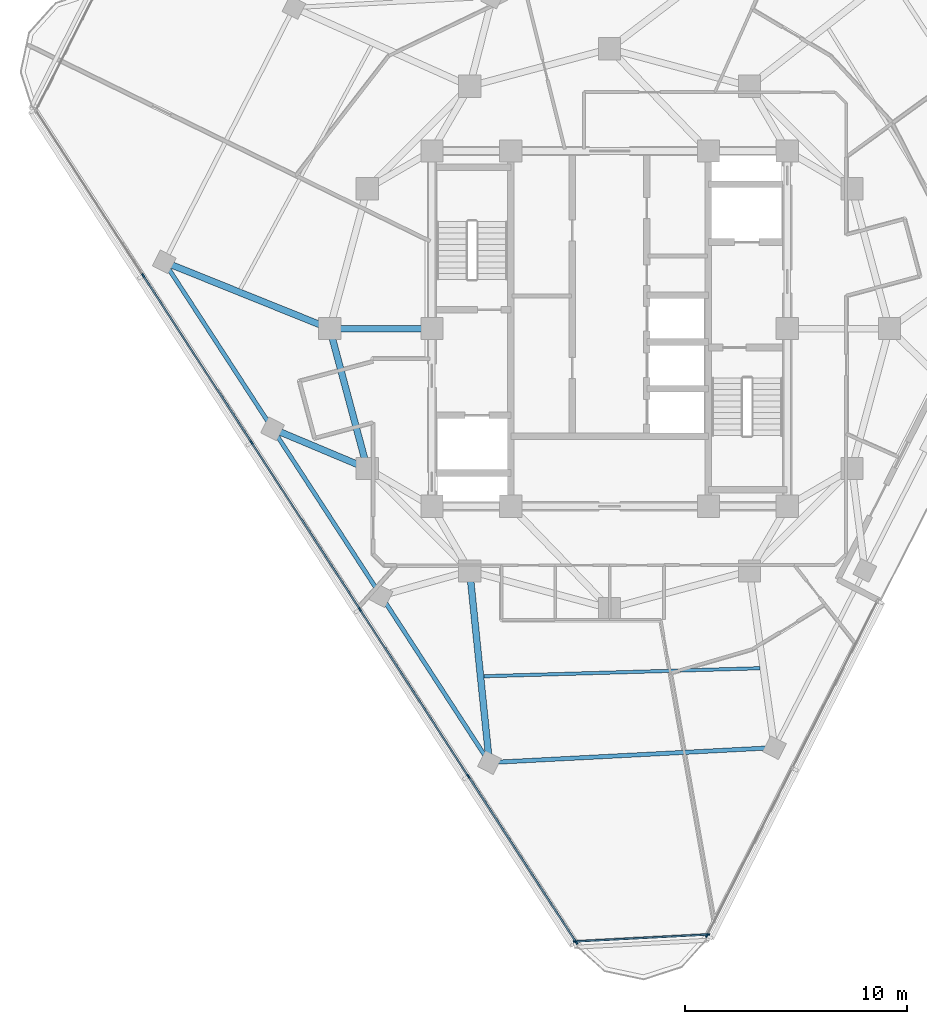
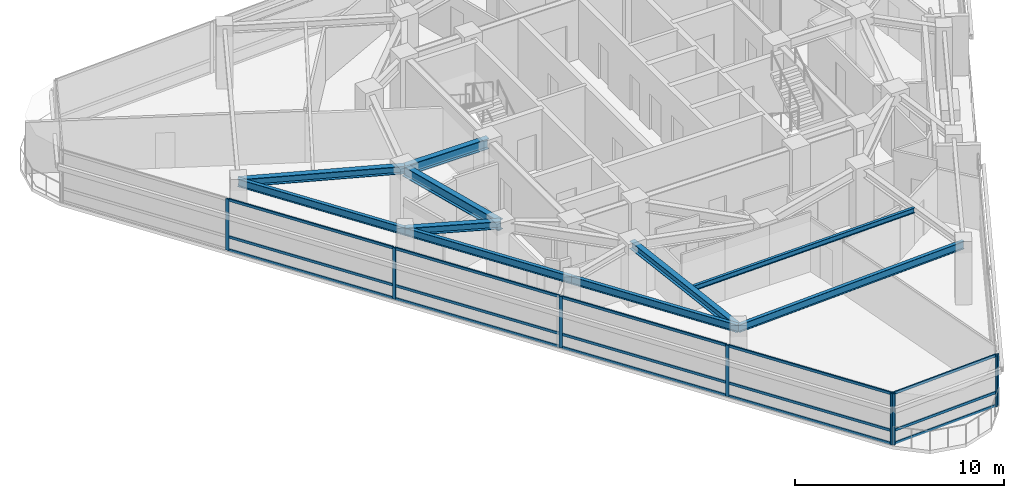
# One storey, part 2 of 15: 23 members, 10 beams, 3 elements without a shape of their own.
"""IFC4 building model written with IfcOpenShell, lengths in metres."""

from ifc_helpers import new_model, si_unit, direction, frame, origin, origin_2d, place, context, subcontext, project, spatial, rectangle, i_section, extrude, material, layer, layer_set, material_profile, profile_set, type_object, element, aggregate, save


model = new_model("IFC4")

# Units and contexts
model_context = context("Model", 3, precision=1e-05, world=origin(), true_north=direction((0.0, 1.0)))
body_context = subcontext(model_context, "Body", "Model", "MODEL_VIEW")
ifc_project = project(units=[si_unit("LENGTHUNIT", "METRE"), si_unit("AREAUNIT", "SQUARE_METRE"), si_unit("VOLUMEUNIT", "CUBIC_METRE"), si_unit("PLANEANGLEUNIT", "RADIAN"), si_unit("MASSUNIT", "GRAM", prefix="KILO")], contexts=[model_context])

# Site, building, storey
site_placement = place(None, origin())
site = spatial("IfcSite", under=ifc_project, at=site_placement, CompositionType="ELEMENT")
building_placement = place(site_placement, origin())
building = spatial("IfcBuilding", under=site, at=building_placement, Name="Terralouvre Media Tower", CompositionType="ELEMENT")
storey_placement = place(building_placement, frame((0.0, 0.0, 252.199951171875)))
storey = spatial("IfcBuildingStorey", under=building, at=storey_placement, Name="L65", CompositionType="ELEMENT", Elevation=252.199951171875)

# Beam
ifc_material_1 = material(Name="Structural steel S355J2", Category="steel")
ifc_material_profile_1 = material_profile(ifc_material_1, i_section(OverallWidth=0.14990234375, OverallDepth=0.300048828125, WebThickness=0.007080078125, FlangeThickness=0.0107421875, at=origin_2d()), Name="IPE 300")
ifc_profile_set_1 = profile_set([ifc_material_profile_1], Name="Structural steel S355J2")
beam_type_1 = type_object("IfcBeamType", Name="Composite Floor Joist J-IPE300 (IPE 300)", PredefinedType="JOIST", material=ifc_profile_set_1)
beam_1_placement = place(storey_placement, frame((-5.662353515625, -15.653564453125, 3.35009765625), z_axis=(0.999577320821, 0.029071974473, 0.0), x_axis=(-0.029071974473, 0.999577320821, 0.0)))
element("IfcBeam", 1, at=beam_1_placement, inside=storey, type_object=beam_type_1, Name="L65 Framing Beam JT-L65-01", PredefinedType="JOIST", context=body_context, shape_type="SweptSolid", body=[
    extrude(i_section(OverallWidth=0.14990234375, OverallDepth=0.300048828125, WebThickness=0.007080078125, FlangeThickness=0.0107421875, at=origin_2d()), origin(), (0.0, 0.0, 1.0), 12.437255859375),
])

# Curtain wall, members
ifc_material_2 = material(Name="Low-iron laminated double glazing with solar-control coating", Category="glass")
ifc_layer_1 = layer(ifc_material_2, 0.1650390625, Name="Upper Executive Tower Curtain Wall CW-05")
ifc_layer_set_1 = layer_set([ifc_layer_1], Name="Low-iron laminated double glazing with solar-control coating")
curtain_wall_type_1 = type_object("IfcCurtainWallType", Name="Upper Executive Tower Curtain Wall CW-05", PredefinedType="NOTDEFINED", material=ifc_layer_set_1)
curtain_wall_1_placement = place(storey_placement, origin())
curtain_wall_1 = element("IfcCurtainWall", 2, at=curtain_wall_1_placement, inside=storey, type_object=curtain_wall_type_1, Name="L65 Facade Curtain Wall F2", PredefinedType="NOTDEFINED")
ifc_material_3 = material(Name="Anodised extruded aluminium 6063-T6", Category="aluminium")
ifc_material_profile_2 = material_profile(ifc_material_3, rectangle(XDim=0.074951171875, YDim=0.14990234375, at=origin_2d()), Name="ALU 75x150")
ifc_profile_set_2 = profile_set([ifc_material_profile_2], Name="Anodised extruded aluminium 6063-T6")
member_type_1 = type_object("IfcMemberType", Name="Curtain-Wall Horizontal Transom TR-150", PredefinedType="USERDEFINED", material=ifc_profile_set_2)
member_1_placement = place(storey_placement, frame((-20.98046875, 2.355712890625, 0.03759765625), z_axis=(0.544647362145, -0.838665160185, 0.0), x_axis=(0.838665160185, 0.544647362145, 0.0)))
member_1 = element("IfcMember", 3, at=member_1_placement, type_object=member_type_1, Name="CW-05 transom 2.1", ObjectType="TRANSOM", PredefinedType="USERDEFINED", context=body_context, shape_type="SweptSolid", body=[
    extrude(rectangle(XDim=0.074951171875, YDim=0.14990234375, at=origin_2d()), origin(), (0.0, 0.0, 1.0), 8.884765625),
])
member_2_placement = place(storey_placement, frame((-20.98046875, 2.355712890625, 0.800048828125), z_axis=(0.544647362145, -0.838665160185, 0.0), x_axis=(0.838665160185, 0.544647362145, 0.0)))
member_2 = element("IfcMember", 4, at=member_2_placement, type_object=member_type_1, Name="CW-05 transom 2.2", ObjectType="TRANSOM", PredefinedType="USERDEFINED", context=body_context, shape_type="SweptSolid", body=[
    extrude(rectangle(XDim=0.074951171875, YDim=0.14990234375, at=origin_2d()), origin(), (0.0, 0.0, 1.0), 8.884765625),
])
member_3_placement = place(storey_placement, frame((-20.98046875, 2.355712890625, 2.962646484375), z_axis=(0.544647362145, -0.838665160185, 0.0), x_axis=(0.838665160185, 0.544647362145, 0.0)))
member_3 = element("IfcMember", 5, at=member_3_placement, type_object=member_type_1, Name="CW-05 transom 2.3", ObjectType="TRANSOM", PredefinedType="USERDEFINED", context=body_context, shape_type="SweptSolid", body=[
    extrude(rectangle(XDim=0.074951171875, YDim=0.14990234375, at=origin_2d()), origin(), (0.0, 0.0, 1.0), 8.884765625),
])
member_4_placement = place(storey_placement, frame((-16.1005859375, -5.15869140625, 0.03759765625), z_axis=(0.544634810925, -0.838673311087, 0.0), x_axis=(0.838673311087, 0.544634810925, 0.0)))
member_4 = element("IfcMember", 6, at=member_4_placement, type_object=member_type_1, Name="CW-05 transom 3.1", ObjectType="TRANSOM", PredefinedType="USERDEFINED", context=body_context, shape_type="SweptSolid", body=[
    extrude(rectangle(XDim=0.074951171875, YDim=0.14990234375, at=origin_2d()), origin(), (0.0, 0.0, 1.0), 8.885009765625),
])
member_5_placement = place(storey_placement, frame((-16.1005859375, -5.15869140625, 0.800048828125), z_axis=(0.544634810925, -0.838673311087, 0.0), x_axis=(0.838673311087, 0.544634810925, 0.0)))
member_5 = element("IfcMember", 7, at=member_5_placement, type_object=member_type_1, Name="CW-05 transom 3.2", ObjectType="TRANSOM", PredefinedType="USERDEFINED", context=body_context, shape_type="SweptSolid", body=[
    extrude(rectangle(XDim=0.074951171875, YDim=0.14990234375, at=origin_2d()), origin(), (0.0, 0.0, 1.0), 8.885009765625),
])
member_6_placement = place(storey_placement, frame((-16.1005859375, -5.15869140625, 2.962646484375), z_axis=(0.544634810925, -0.838673311087, 0.0), x_axis=(0.838673311087, 0.544634810925, 0.0)))
member_6 = element("IfcMember", 8, at=member_6_placement, type_object=member_type_1, Name="CW-05 transom 3.3", ObjectType="TRANSOM", PredefinedType="USERDEFINED", context=body_context, shape_type="SweptSolid", body=[
    extrude(rectangle(XDim=0.074951171875, YDim=0.14990234375, at=origin_2d()), origin(), (0.0, 0.0, 1.0), 8.885009765625),
])
member_7_placement = place(storey_placement, frame((-11.220458984375, -12.673095703125, 0.03759765625), z_axis=(0.544634810925, -0.838673311087, 0.0), x_axis=(0.838673311087, 0.544634810925, 0.0)))
member_7 = element("IfcMember", 9, at=member_7_placement, type_object=member_type_1, Name="CW-05 transom 4.1", ObjectType="TRANSOM", PredefinedType="USERDEFINED", context=body_context, shape_type="SweptSolid", body=[
    extrude(rectangle(XDim=0.074951171875, YDim=0.14990234375, at=origin_2d()), origin(), (0.0, 0.0, 1.0), 8.885009765625),
])
member_8_placement = place(storey_placement, frame((-11.220458984375, -12.673095703125, 0.800048828125), z_axis=(0.544634810925, -0.838673311087, 0.0), x_axis=(0.838673311087, 0.544634810925, 0.0)))
member_8 = element("IfcMember", 10, at=member_8_placement, type_object=member_type_1, Name="CW-05 transom 4.2", ObjectType="TRANSOM", PredefinedType="USERDEFINED", context=body_context, shape_type="SweptSolid", body=[
    extrude(rectangle(XDim=0.074951171875, YDim=0.14990234375, at=origin_2d()), origin(), (0.0, 0.0, 1.0), 8.885009765625),
])
member_9_placement = place(storey_placement, frame((-11.220458984375, -12.673095703125, 2.962646484375), z_axis=(0.544634810925, -0.838673311087, 0.0), x_axis=(0.838673311087, 0.544634810925, 0.0)))
member_9 = element("IfcMember", 11, at=member_9_placement, type_object=member_type_1, Name="CW-05 transom 4.3", ObjectType="TRANSOM", PredefinedType="USERDEFINED", context=body_context, shape_type="SweptSolid", body=[
    extrude(rectangle(XDim=0.074951171875, YDim=0.14990234375, at=origin_2d()), origin(), (0.0, 0.0, 1.0), 8.885009765625),
])
member_10_placement = place(storey_placement, frame((-6.340576171875, -20.187744140625, 0.03759765625), z_axis=(0.544630398361, -0.838676176591, 0.0), x_axis=(0.838676176591, 0.544630398361, 0.0)))
member_10 = element("IfcMember", 12, at=member_10_placement, type_object=member_type_1, Name="CW-05 transom 5.1", ObjectType="TRANSOM", PredefinedType="USERDEFINED", context=body_context, shape_type="SweptSolid", body=[
    extrude(rectangle(XDim=0.074951171875, YDim=0.14990234375, at=origin_2d()), origin(), (0.0, 0.0, 1.0), 8.847412109375),
])
member_11_placement = place(storey_placement, frame((-6.340576171875, -20.187744140625, 0.800048828125), z_axis=(0.544630398361, -0.838676176591, 0.0), x_axis=(0.838676176591, 0.544630398361, 0.0)))
member_11 = element("IfcMember", 13, at=member_11_placement, type_object=member_type_1, Name="CW-05 transom 5.2", ObjectType="TRANSOM", PredefinedType="USERDEFINED", context=body_context, shape_type="SweptSolid", body=[
    extrude(rectangle(XDim=0.074951171875, YDim=0.14990234375, at=origin_2d()), origin(), (0.0, 0.0, 1.0), 8.847412109375),
])
member_12_placement = place(storey_placement, frame((-6.340576171875, -20.187744140625, 2.962646484375), z_axis=(0.544630398361, -0.838676176591, 0.0), x_axis=(0.838676176591, 0.544630398361, 0.0)))
member_12 = element("IfcMember", 14, at=member_12_placement, type_object=member_type_1, Name="CW-05 transom 5.3", ObjectType="TRANSOM", PredefinedType="USERDEFINED", context=body_context, shape_type="SweptSolid", body=[
    extrude(rectangle(XDim=0.074951171875, YDim=0.14990234375, at=origin_2d()), origin(), (0.0, 0.0, 1.0), 8.847412109375),
])

ifc_material_4 = material(Name="Low-iron laminated double glazing with solar-control coating", Category="glass")
ifc_layer_2 = layer(ifc_material_4, 0.1650390625, Name="Rounded Wind-Corner Curved Glazing CW-04")
ifc_layer_set_2 = layer_set([ifc_layer_2], Name="Low-iron laminated double glazing with solar-control coating")
curtain_wall_type_2 = type_object("IfcCurtainWallType", Name="Rounded Wind-Corner Curved Glazing CW-04", PredefinedType="NOTDEFINED", material=ifc_layer_set_2)
curtain_wall_2_placement = place(storey_placement, origin())
curtain_wall_2 = element("IfcCurtainWall", 15, at=curtain_wall_2_placement, inside=storey, type_object=curtain_wall_type_2, Name="L65 Rounded Wind-Corner Curtain Wall C0", PredefinedType="NOTDEFINED")
member_13_placement = place(storey_placement, frame((-1.51416015625, -27.59228515625, 0.03759765625), z_axis=(0.998630348994, 0.052320417325, 0.0), x_axis=(-0.052320417325, 0.998630348994, 0.0)))
member_13 = element("IfcMember", 16, at=member_13_placement, type_object=member_type_1, Name="CW-04 transom 1.1", ObjectType="TRANSOM", PredefinedType="USERDEFINED", context=body_context, shape_type="SweptSolid", body=[
    extrude(rectangle(XDim=0.074951171875, YDim=0.14990234375, at=origin_2d()), origin(), (0.0, 0.0, 1.0), 5.912109375),
])
member_14_placement = place(storey_placement, frame((-1.51416015625, -27.59228515625, 0.800048828125), z_axis=(0.998630348994, 0.052320417325, 0.0), x_axis=(-0.052320417325, 0.998630348994, 0.0)))
member_14 = element("IfcMember", 17, at=member_14_placement, type_object=member_type_1, Name="CW-04 transom 1.2", ObjectType="TRANSOM", PredefinedType="USERDEFINED", context=body_context, shape_type="SweptSolid", body=[
    extrude(rectangle(XDim=0.074951171875, YDim=0.14990234375, at=origin_2d()), origin(), (0.0, 0.0, 1.0), 5.912109375),
])
member_15_placement = place(storey_placement, frame((-1.51416015625, -27.59228515625, 2.962646484375), z_axis=(0.998630348994, 0.052320417325, 0.0), x_axis=(-0.052320417325, 0.998630348994, 0.0)))
member_15 = element("IfcMember", 18, at=member_15_placement, type_object=member_type_1, Name="CW-04 transom 1.3", ObjectType="TRANSOM", PredefinedType="USERDEFINED", context=body_context, shape_type="SweptSolid", body=[
    extrude(rectangle(XDim=0.074951171875, YDim=0.14990234375, at=origin_2d()), origin(), (0.0, 0.0, 1.0), 5.912109375),
])

# Curtain wall, member
curtain_wall_3_placement = place(storey_placement, origin())
curtain_wall_3 = element("IfcCurtainWall", 19, at=curtain_wall_3_placement, inside=storey, type_object=curtain_wall_type_1, Name="L65 Left Flank Curtain Wall F0", PredefinedType="NOTDEFINED")
ifc_material_5 = material(Name="Anodised extruded aluminium 6063-T6", Category="aluminium")
ifc_material_profile_3 = material_profile(ifc_material_5, rectangle(XDim=0.074951171875, YDim=0.179931640625, at=origin_2d()), Name="ALU 75x180")
ifc_profile_set_3 = profile_set([ifc_material_profile_3], Name="Anodised extruded aluminium 6063-T6")
member_type_2 = type_object("IfcMemberType", Name="Curtain-Wall Vertical Mullion ML-180", PredefinedType="MULLION", material=ifc_profile_set_3)
member_16_placement = place(storey_placement, frame((4.38232421875, -27.330810546875, 0.0), z_axis=(0.0, 0.0, 1.0), x_axis=(-0.89100683653, 0.453989886735, 0.0)))
member_16 = element("IfcMember", 20, at=member_16_placement, type_object=member_type_2, Name="CW-05 mullion 1", PredefinedType="MULLION", context=body_context, shape_type="SweptSolid", body=[
    extrude(rectangle(XDim=0.074951171875, YDim=0.179931640625, at=origin_2d()), origin(), (0.0, 0.0, 1.0), 3.0),
])
aggregate(curtain_wall_3, [member_16])

# Member
member_17_placement = place(storey_placement, frame((-21.0009765625, 2.38720703125, 0.0), z_axis=(0.0, 0.0, 1.0), x_axis=(0.838670545826, 0.544639069077, 0.0)))
member_17 = element("IfcMember", 21, at=member_17_placement, type_object=member_type_2, Name="CW-05 mullion 2", PredefinedType="MULLION", context=body_context, shape_type="SweptSolid", body=[
    extrude(rectangle(XDim=0.074951171875, YDim=0.179931640625, at=origin_2d()), origin(), (0.0, 0.0, 1.0), 3.0),
])

member_18_placement = place(storey_placement, frame((-16.120849609375, -5.127197265625, 0.0), z_axis=(0.0, 0.0, 1.0), x_axis=(0.838670545826, 0.544639069077, 0.0)))
member_18 = element("IfcMember", 22, at=member_18_placement, type_object=member_type_2, Name="CW-05 mullion 3", PredefinedType="MULLION", context=body_context, shape_type="SweptSolid", body=[
    extrude(rectangle(XDim=0.074951171875, YDim=0.179931640625, at=origin_2d()), origin(), (0.0, 0.0, 1.0), 3.0),
])

member_19_placement = place(storey_placement, frame((-11.240966796875, -12.641845703125, 0.0), z_axis=(0.0, 0.0, 1.0), x_axis=(0.838670545826, 0.544639069077, 0.0)))
member_19 = element("IfcMember", 23, at=member_19_placement, type_object=member_type_2, Name="CW-05 mullion 4", PredefinedType="MULLION", context=body_context, shape_type="SweptSolid", body=[
    extrude(rectangle(XDim=0.074951171875, YDim=0.179931640625, at=origin_2d()), origin(), (0.0, 0.0, 1.0), 3.0),
])

member_20_placement = place(storey_placement, frame((-6.361083984375, -20.15625, 0.0), z_axis=(0.0, 0.0, 1.0), x_axis=(0.838670545826, 0.544639069077, 0.0)))
member_20 = element("IfcMember", 24, at=member_20_placement, type_object=member_type_2, Name="CW-05 mullion 5", PredefinedType="MULLION", context=body_context, shape_type="SweptSolid", body=[
    extrude(rectangle(XDim=0.074951171875, YDim=0.179931640625, at=origin_2d()), origin(), (0.0, 0.0, 1.0), 3.0),
])

member_21_placement = place(storey_placement, frame((-1.50146484375, -27.63916015625, 0.0), z_axis=(0.0, 0.0, 1.0), x_axis=(0.838670545826, 0.544639069077, 0.0)))
member_21 = element("IfcMember", 25, at=member_21_placement, type_object=member_type_2, Name="CW-05 mullion 6", PredefinedType="MULLION", context=body_context, shape_type="SweptSolid", body=[
    extrude(rectangle(XDim=0.074951171875, YDim=0.179931640625, at=origin_2d()), origin(), (0.0, 0.0, 1.0), 3.0),
])

aggregate(curtain_wall_1, [member_17, member_18, member_19, member_20, member_21, member_1, member_2, member_3, member_4, member_5, member_6, member_7, member_8, member_9, member_10, member_11, member_12])

member_22_placement = place(storey_placement, frame((-1.551513671875, -27.59423828125, 0.0), z_axis=(0.0, 0.0, 1.0), x_axis=(-0.05233597552, 0.998629533744, 0.0)))
member_22 = element("IfcMember", 26, at=member_22_placement, type_object=member_type_2, Name="CW-04 mullion 1", PredefinedType="MULLION", context=body_context, shape_type="SweptSolid", body=[
    extrude(rectangle(XDim=0.074951171875, YDim=0.179931640625, at=origin_2d()), origin(), (0.0, 0.0, 1.0), 3.0),
])

member_23_placement = place(storey_placement, frame((4.427490234375, -27.281005859375, 0.0), z_axis=(0.0, 0.0, 1.0), x_axis=(-0.05233597552, 0.998629533744, 0.0)))
member_23 = element("IfcMember", 27, at=member_23_placement, type_object=member_type_2, Name="CW-04 mullion 2", PredefinedType="MULLION", context=body_context, shape_type="SweptSolid", body=[
    extrude(rectangle(XDim=0.074951171875, YDim=0.179931640625, at=origin_2d()), origin(), (0.0, 0.0, 1.0), 3.0),
])

aggregate(curtain_wall_2, [member_22, member_23, member_13, member_14, member_15])

# Beams
ifc_material_6 = material(Name="Structural steel S355J2", Category="steel")
ifc_material_profile_4 = material_profile(ifc_material_6, i_section(OverallWidth=0.18994140625, OverallDepth=0.449951171875, WebThickness=0.009521484375, FlangeThickness=0.0146484375, at=origin_2d()), Name="IPE 450")
ifc_profile_set_4 = profile_set([ifc_material_profile_4], Name="Structural steel S355J2")
beam_type_2 = type_object("IfcBeamType", Name="Perimeter Spandrel Beam SPB-450 (IPE 450)", PredefinedType="SPANDREL", material=ifc_profile_set_4)
beam_2_placement = place(storey_placement, frame((-15.17333984375, -4.51171875, 3.275146484375), z_axis=(0.544643524961, -0.838667652123, 0.0), x_axis=(0.838667652123, 0.544643524961, 0.0)))
element("IfcBeam", 28, at=beam_2_placement, inside=storey, type_object=beam_type_2, Name="L65 Framing Beam BM-L65-PR01", PredefinedType="SPANDREL", context=body_context, shape_type="SweptSolid", body=[
    extrude(i_section(OverallWidth=0.18994140625, OverallDepth=0.449951171875, WebThickness=0.009521484375, FlangeThickness=0.0146484375, at=origin_2d()), origin(), (0.0, 0.0, 1.0), 8.960205078125),
])
beam_3_placement = place(storey_placement, frame((-10.293212890625, -12.0263671875, 3.275146484375), z_axis=(0.544636805853, -0.838672015576, 0.0), x_axis=(0.838672015576, 0.544636805853, 0.0)))
element("IfcBeam", 29, at=beam_3_placement, inside=storey, type_object=beam_type_2, Name="L65 Framing Beam BM-L65-PR02", PredefinedType="SPANDREL", context=body_context, shape_type="SweptSolid", body=[
    extrude(i_section(OverallWidth=0.18994140625, OverallDepth=0.449951171875, WebThickness=0.009521484375, FlangeThickness=0.0146484375, at=origin_2d()), origin(), (0.0, 0.0, 1.0), 8.9599609375),
])
beam_4_placement = place(storey_placement, frame((-5.413330078125, -19.540771484375, 3.275146484375), z_axis=(0.998629710924, 0.052332594613, 0.0), x_axis=(-0.052332594613, 0.998629710924, 0.0)))
element("IfcBeam", 30, at=beam_4_placement, inside=storey, type_object=beam_type_2, Name="L65 Framing Beam BM-L65-PR03", PredefinedType="SPANDREL", context=body_context, shape_type="SweptSolid", body=[
    extrude(i_section(OverallWidth=0.18994140625, OverallDepth=0.449951171875, WebThickness=0.009521484375, FlangeThickness=0.0146484375, at=origin_2d()), origin(), (0.0, 0.0, 1.0), 12.857177734375),
])
beam_5_placement = place(storey_placement, frame((-20.05322265625, 3.002685546875, 3.275146484375), z_axis=(0.544636805853, -0.838672015576, 0.0), x_axis=(0.838672015576, 0.544636805853, 0.0)))
element("IfcBeam", 31, at=beam_5_placement, inside=storey, type_object=beam_type_2, Name="L65 Framing Beam BM-L65-PR12", PredefinedType="SPANDREL", context=body_context, shape_type="SweptSolid", body=[
    extrude(i_section(OverallWidth=0.18994140625, OverallDepth=0.449951171875, WebThickness=0.009521484375, FlangeThickness=0.0146484375, at=origin_2d()), origin(), (0.0, 0.0, 1.0), 8.9599609375),
])
ifc_material_7 = material(Name="Structural steel S355J2", Category="steel")
ifc_material_profile_5 = material_profile(ifc_material_7, i_section(OverallWidth=0.300048828125, OverallDepth=0.449951171875, WebThickness=0.013916015625, FlangeThickness=0.02587890625, at=origin_2d()), Name="HEB 450")
ifc_profile_set_5 = profile_set([ifc_material_profile_5], Name="Structural steel S355J2")
beam_type_3 = type_object("IfcBeamType", Name="Primary Floor Girder B-HEB450 (HEB 450)", PredefinedType="BEAM", material=ifc_profile_set_5)
beam_6_placement = place(storey_placement, frame((-10.911865234375, -6.300048828125, 3.275146484375), z_axis=(-0.922097113404, 0.386958542291, 0.0), x_axis=(-0.386958542291, -0.922097113404, 0.0)))
element("IfcBeam", 32, at=beam_6_placement, inside=storey, type_object=beam_type_3, Name="L65 Framing Beam BM-L65-RD01", PredefinedType="BEAM", context=body_context, shape_type="SweptSolid", body=[
    extrude(i_section(OverallWidth=0.300048828125, OverallDepth=0.449951171875, WebThickness=0.013916015625, FlangeThickness=0.02587890625, at=origin_2d()), origin(), (0.0, 0.0, 1.0), 4.62158203125),
])
beam_7_placement = place(storey_placement, frame((-6.300048828125, -10.911865234375, 3.275146484375), z_axis=(0.102223114396, -0.994761496482, 0.0), x_axis=(0.994761496482, 0.102223114396, 0.0)))
element("IfcBeam", 33, at=beam_7_placement, inside=storey, type_object=beam_type_3, Name="L65 Framing Beam BM-L65-RD03", PredefinedType="BEAM", context=body_context, shape_type="SweptSolid", body=[
    extrude(i_section(OverallWidth=0.300048828125, OverallDepth=0.449951171875, WebThickness=0.013916015625, FlangeThickness=0.02587890625, at=origin_2d()), origin(), (0.0, 0.0, 1.0), 8.67431640625),
])
beam_8_placement = place(storey_placement, frame((-12.60009765625, 0.0, 3.275146484375), z_axis=(-0.927553949727, 0.373689269775, 0.0), x_axis=(-0.373689269775, -0.927553949727, 0.0)))
element("IfcBeam", 34, at=beam_8_placement, inside=storey, type_object=beam_type_3, Name="L65 Framing Beam BM-L65-RD12", PredefinedType="BEAM", context=body_context, shape_type="SweptSolid", body=[
    extrude(i_section(OverallWidth=0.300048828125, OverallDepth=0.449951171875, WebThickness=0.013916015625, FlangeThickness=0.02587890625, at=origin_2d()), origin(), (0.0, 0.0, 1.0), 8.03515625),
])
ifc_material_8 = material(Name="Structural steel S460M", Category="steel")
ifc_material_profile_6 = material_profile(ifc_material_8, i_section(OverallWidth=0.300048828125, OverallDepth=0.60009765625, WebThickness=0.015380859375, FlangeThickness=0.030029296875, at=origin_2d()), Name="HEB 600")
ifc_profile_set_6 = profile_set([ifc_material_profile_6], Name="Structural steel S460M")
beam_type_4 = type_object("IfcBeamType", Name="Primary Floor Girder B-HEB600 (HEB 600)", PredefinedType="BEAM", material=ifc_profile_set_6)
beam_9_placement = place(storey_placement, frame((-12.60009765625, 0.0, 3.199951171875), z_axis=(0.258838989821, -0.965920481897, 0.0), x_axis=(0.965920481897, 0.258838989821, 0.0)))
element("IfcBeam", 35, at=beam_9_placement, inside=storey, type_object=beam_type_4, Name="L65 Framing Beam BM-L65-MR12", PredefinedType="BEAM", context=body_context, shape_type="SweptSolid", body=[
    extrude(i_section(OverallWidth=0.300048828125, OverallDepth=0.60009765625, WebThickness=0.015380859375, FlangeThickness=0.030029296875, at=origin_2d()), origin(), (0.0, 0.0, 1.0), 6.522216796875),
])
beam_10_placement = place(storey_placement, frame((-8.0, 0.0, 3.199951171875), z_axis=(-1.0, 0.0, 0.0), x_axis=(0.0, -1.0, 0.0)))
element("IfcBeam", 36, at=beam_10_placement, inside=storey, type_object=beam_type_4, Name="L65 Framing Beam BM-L65-CM12", PredefinedType="BEAM", context=body_context, shape_type="SweptSolid", body=[
    extrude(i_section(OverallWidth=0.300048828125, OverallDepth=0.60009765625, WebThickness=0.015380859375, FlangeThickness=0.030029296875, at=origin_2d()), origin(), (0.0, 0.0, 1.0), 4.60009765625),
])

save(model, "model.ifc")
